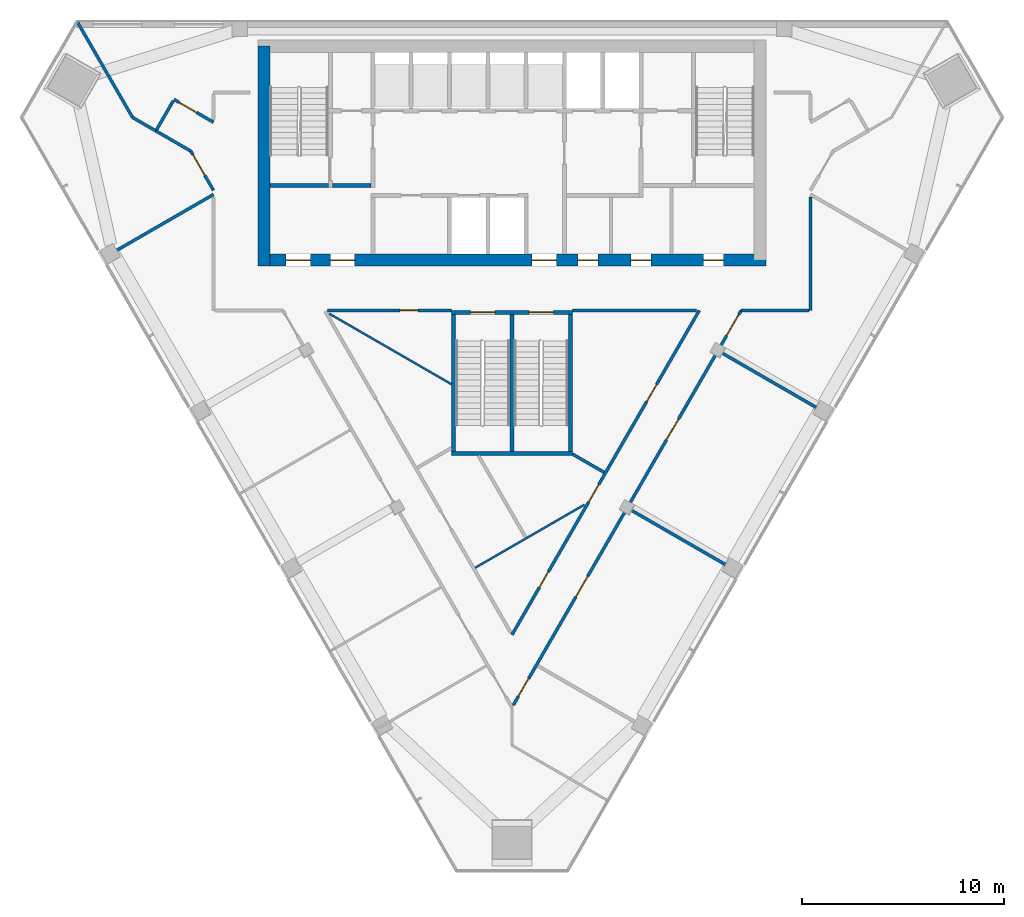
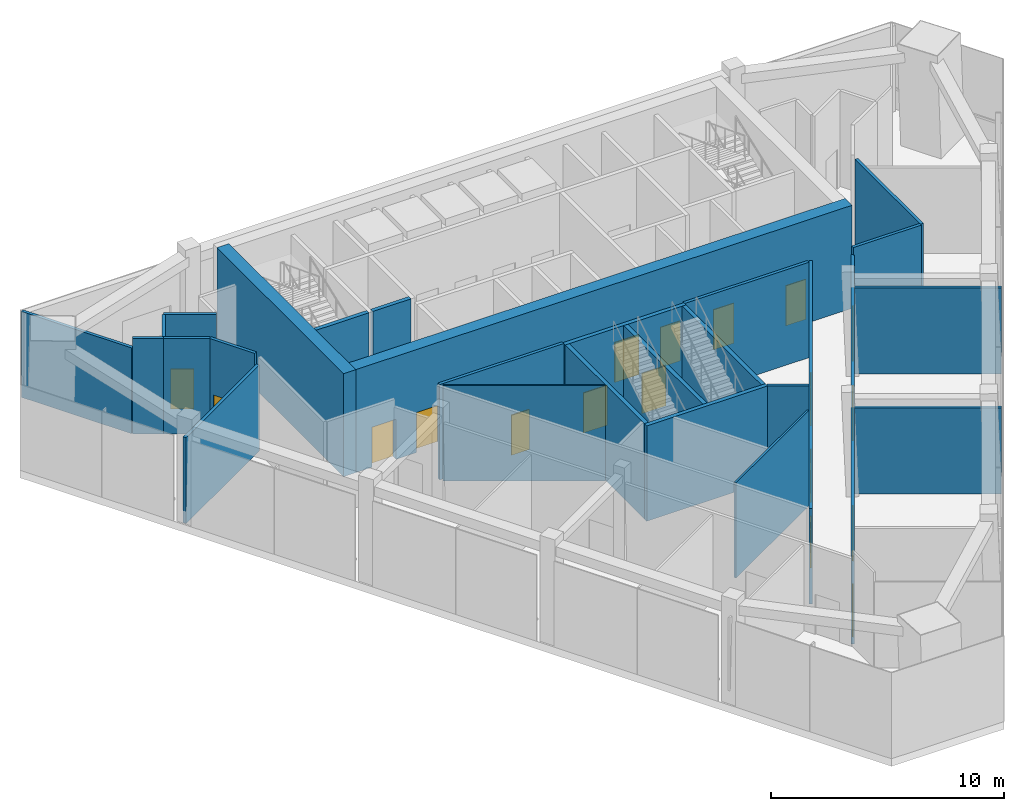
# One storey, part 6 of 10: 27 walls, 18 doors, 18 openings.
"""IFC4 building model written with IfcOpenShell, lengths in metres."""

from ifc_helpers import new_model, si_unit, direction, frame, frame_2d, origin, place, context, subcontext, project, spatial, rectangle, extrude, material, layer, layer_set, type_object, element, fill, save


model = new_model("IFC4")

# Units and contexts
model_context = context("Model", 3, precision=1e-05, world=origin(), true_north=direction((0.0, 1.0)))
body_context = subcontext(model_context, "Body", "Model", "MODEL_VIEW")
ifc_project = project(units=[si_unit("LENGTHUNIT", "METRE"), si_unit("AREAUNIT", "SQUARE_METRE"), si_unit("VOLUMEUNIT", "CUBIC_METRE"), si_unit("PLANEANGLEUNIT", "RADIAN"), si_unit("MASSUNIT", "GRAM", prefix="KILO")], contexts=[model_context])

# Site, building, storey
site_placement = place(None, origin())
site = spatial("IfcSite", under=ifc_project, at=site_placement, CompositionType="ELEMENT")
building_placement = place(site_placement, origin())
building = spatial("IfcBuilding", under=site, at=building_placement, Name="Altiplano Prism Tower", CompositionType="ELEMENT")
storey_placement = place(building_placement, frame((0.0, 0.0, 233.800048828125)))
storey = spatial("IfcBuildingStorey", under=building, at=storey_placement, Name="L60", CompositionType="ELEMENT", Elevation=233.800048828125)

# Wall, openings, doors
ifc_material_1 = material(Name="Concrete C60/75", Category="concrete")
ifc_layer_1 = layer(ifc_material_1, 0.60009765625)
ifc_layer_set_1 = layer_set([ifc_layer_1], Name="Concrete C60/75")
wall_type_1 = type_object("IfcWallType", Name="Core wall 600", PredefinedType="SHEAR", material=ifc_layer_set_1)
wall_1_placement = place(storey_placement, frame((72.699951171875, 93.10009765625, 0.0), z_axis=(0.0, 0.0, 1.0), x_axis=(1.0, 0.0, 0.0)))
wall_1 = element("IfcWall", 1, at=wall_1_placement, inside=storey, type_object=wall_type_1, Name="Core wall S L60", PredefinedType="SHEAR", context=body_context, shape_type="SweptSolid", body=[
    extrude(rectangle(XDim=24.900146484375, YDim=0.60009765625, at=frame_2d((12.4501953125, 0.0))), origin(), (0.0, 0.0, 1.0), 5.39990234375),
])
opening_1_placement = place(wall_1_placement, frame((1.10009765625, 0.0, 0.0)))
opening_1 = element("IfcOpeningElement", 2, at=opening_1_placement, cuts=wall_1, Name="Opening D3419", PredefinedType="OPENING", context=body_context, shape_type="SweptSolid", body=[
    extrude(rectangle(XDim=1.199951171875, YDim=2.10009765625, at=frame_2d((0.60009765625, 1.050048828125))), frame((0.0, 0.310546875, 0.0), z_axis=(0.0, -1.0, 0.0), x_axis=(1.0, 0.0, 0.0)), (0.0, 0.0, 1.0), 0.62109375),
])
opening_2_placement = place(wall_1_placement, frame((3.300048828125, 0.0, 0.0)))
opening_2 = element("IfcOpeningElement", 3, at=opening_2_placement, cuts=wall_1, Name="Opening D3420", PredefinedType="OPENING", context=body_context, shape_type="SweptSolid", body=[
    extrude(rectangle(XDim=1.199951171875, YDim=2.10009765625, at=frame_2d((0.60009765625, 1.050048828125))), frame((0.0, 0.310546875, 0.0), z_axis=(0.0, -1.0, 0.0), x_axis=(1.0, 0.0, 0.0)), (0.0, 0.0, 1.0), 0.62109375),
])
opening_3_placement = place(wall_1_placement, frame((13.300048828125, 0.0, 0.0)))
opening_3 = element("IfcOpeningElement", 4, at=opening_3_placement, cuts=wall_1, Name="Opening D3421", PredefinedType="OPENING", context=body_context, shape_type="SweptSolid", body=[
    extrude(rectangle(XDim=1.199951171875, YDim=2.10009765625, at=frame_2d((0.60009765625, 1.050048828125))), frame((0.0, 0.310546875, 0.0), z_axis=(0.0, -1.0, 0.0), x_axis=(1.0, 0.0, 0.0)), (0.0, 0.0, 1.0), 0.62109375),
])
opening_4_placement = place(wall_1_placement, frame((15.5625, 0.0, 0.0)))
opening_4 = element("IfcOpeningElement", 5, at=opening_4_placement, cuts=wall_1, Name="Opening D3424", PredefinedType="OPENING", context=body_context, shape_type="SweptSolid", body=[
    extrude(rectangle(XDim=1.0, YDim=2.10009765625, at=frame_2d((0.5, 1.050048828125))), frame((0.0, 0.310546875, 0.0), z_axis=(0.0, -1.0, 0.0), x_axis=(1.0, 0.0, 0.0)), (0.0, 0.0, 1.0), 0.62109375),
])
opening_5_placement = place(wall_1_placement, frame((18.199951171875, 0.0, 0.0)))
opening_5 = element("IfcOpeningElement", 6, at=opening_5_placement, cuts=wall_1, Name="Opening D3425", PredefinedType="OPENING", context=body_context, shape_type="SweptSolid", body=[
    extrude(rectangle(XDim=1.0, YDim=2.10009765625, at=frame_2d((0.5, 1.050048828125))), frame((0.0, 0.310546875, 0.0), z_axis=(0.0, -1.0, 0.0), x_axis=(1.0, 0.0, 0.0)), (0.0, 0.0, 1.0), 0.62109375),
])
opening_6_placement = place(wall_1_placement, frame((21.78759765625, 0.0, 0.0)))
opening_6 = element("IfcOpeningElement", 7, at=opening_6_placement, cuts=wall_1, Name="Opening D3426", PredefinedType="OPENING", context=body_context, shape_type="SweptSolid", body=[
    extrude(rectangle(XDim=1.0, YDim=2.10009765625, at=frame_2d((0.5, 1.050048828125))), frame((0.0, 0.310546875, 0.0), z_axis=(0.0, -1.0, 0.0), x_axis=(1.0, 0.0, 0.0)), (0.0, 0.0, 1.0), 0.62109375),
])
ifc_material_2 = material(Name="Fire-rated steel door", Category="steel")
door_type_1 = type_object("IfcDoorType", Name="Core room door 1000 x 2100", OperationType="NOTDEFINED", PredefinedType="NOTDEFINED", material=ifc_material_2)
door_1_placement = place(opening_4_placement, origin())
door_1 = element("IfcDoor", 8, at=door_1_placement, inside=storey, type_object=door_type_1, Name="Core room door D3424", OperationType="SINGLE_SWING_RIGHT", OverallHeight=2.10009765625, OverallWidth=1.0, PredefinedType="NOTDEFINED", context=body_context, shape_type="SweptSolid", body=[
    extrude(rectangle(XDim=1.0, YDim=2.10009765625, at=frame_2d((0.5, 1.050048828125))), frame((0.0, 0.02490234375, 0.0), z_axis=(0.0, -1.0, 0.0), x_axis=(1.0, 0.0, 0.0)), (0.0, 0.0, 1.0), 0.050048828125),
])
fill(opening_4, door_1)
door_2_placement = place(opening_5_placement, origin())
door_2 = element("IfcDoor", 9, at=door_2_placement, inside=storey, type_object=door_type_1, Name="Core room door D3425", OperationType="SINGLE_SWING_LEFT", OverallHeight=2.10009765625, OverallWidth=1.0, PredefinedType="NOTDEFINED", context=body_context, shape_type="SweptSolid", body=[
    extrude(rectangle(XDim=1.0, YDim=2.10009765625, at=frame_2d((0.5, 1.050048828125))), frame((0.0, 0.02490234375, 0.0), z_axis=(0.0, -1.0, 0.0), x_axis=(1.0, 0.0, 0.0)), (0.0, 0.0, 1.0), 0.050048828125),
])
fill(opening_5, door_2)
door_3_placement = place(opening_6_placement, origin())
door_3 = element("IfcDoor", 10, at=door_3_placement, inside=storey, type_object=door_type_1, Name="Core room door D3426", OperationType="SINGLE_SWING_RIGHT", OverallHeight=2.10009765625, OverallWidth=1.0, PredefinedType="NOTDEFINED", context=body_context, shape_type="SweptSolid", body=[
    extrude(rectangle(XDim=1.0, YDim=2.10009765625, at=frame_2d((0.5, 1.050048828125))), frame((0.0, 0.02490234375, 0.0), z_axis=(0.0, -1.0, 0.0), x_axis=(1.0, 0.0, 0.0)), (0.0, 0.0, 1.0), 0.050048828125),
])
fill(opening_6, door_3)
door_type_2 = type_object("IfcDoorType", Name="Lobby fire door 1200 x 2100", OperationType="NOTDEFINED", PredefinedType="NOTDEFINED", material=ifc_material_2)
door_4_placement = place(opening_1_placement, origin())
door_4 = element("IfcDoor", 11, at=door_4_placement, inside=storey, type_object=door_type_2, Name="Lobby fire door D3419", OperationType="SINGLE_SWING_RIGHT", OverallHeight=2.10009765625, OverallWidth=1.199951171875, PredefinedType="NOTDEFINED", context=body_context, shape_type="SweptSolid", body=[
    extrude(rectangle(XDim=1.199951171875, YDim=2.10009765625, at=frame_2d((0.60009765625, 1.050048828125))), frame((0.0, 0.02490234375, 0.0), z_axis=(0.0, -1.0, 0.0), x_axis=(1.0, 0.0, 0.0)), (0.0, 0.0, 1.0), 0.050048828125),
])
fill(opening_1, door_4)
door_5_placement = place(opening_2_placement, origin())
door_5 = element("IfcDoor", 12, at=door_5_placement, inside=storey, type_object=door_type_2, Name="Lobby fire door D3420", OperationType="SINGLE_SWING_LEFT", OverallHeight=2.10009765625, OverallWidth=1.199951171875, PredefinedType="NOTDEFINED", context=body_context, shape_type="SweptSolid", body=[
    extrude(rectangle(XDim=1.199951171875, YDim=2.10009765625, at=frame_2d((0.60009765625, 1.050048828125))), frame((0.0, 0.02490234375, 0.0), z_axis=(0.0, -1.0, 0.0), x_axis=(1.0, 0.0, 0.0)), (0.0, 0.0, 1.0), 0.050048828125),
])
fill(opening_2, door_5)
door_6_placement = place(opening_3_placement, origin())
door_6 = element("IfcDoor", 13, at=door_6_placement, inside=storey, type_object=door_type_2, Name="Lobby fire door D3421", OperationType="SINGLE_SWING_RIGHT", OverallHeight=2.10009765625, OverallWidth=1.199951171875, PredefinedType="NOTDEFINED", context=body_context, shape_type="SweptSolid", body=[
    extrude(rectangle(XDim=1.199951171875, YDim=2.10009765625, at=frame_2d((0.60009765625, 1.050048828125))), frame((0.0, 0.02490234375, 0.0), z_axis=(0.0, -1.0, 0.0), x_axis=(1.0, 0.0, 0.0)), (0.0, 0.0, 1.0), 0.050048828125),
])
fill(opening_3, door_6)

# Walls
wall_2_placement = place(storey_placement, frame((72.699951171875, 103.699951171875, 0.0), z_axis=(0.0, 0.0, 1.0), x_axis=(0.0, -1.0, 0.0)))
element("IfcWall", 14, at=wall_2_placement, inside=storey, type_object=wall_type_1, Name="Core wall W L60", PredefinedType="SHEAR", context=body_context, shape_type="SweptSolid", body=[
    extrude(rectangle(XDim=10.89990234375, YDim=0.60009765625, at=frame_2d((5.449951171875, 0.0))), origin(), (0.0, 0.0, 1.0), 5.39990234375),
])
ifc_material_3 = material(Name="Plasterboard on steel stud", Category="steel")
ifc_layer_2 = layer(ifc_material_3, 0.10009765625)
ifc_layer_set_2 = layer_set([ifc_layer_2], Name="Plasterboard on steel stud")
wall_type_2 = type_object("IfcWallType", Name="Partition 100 wet", PredefinedType="PARTITIONING", material=ifc_layer_set_2)
wall_3_placement = place(storey_placement, frame((75.94775390625, 90.434814453125, 0.0), z_axis=(0.0, 0.0, 1.0), x_axis=(0.866033166555, -0.499986554245, 0.0)))
element("IfcWall", 15, at=wall_3_placement, inside=storey, type_object=wall_type_2, Name="Partition P03 L60 023", PredefinedType="PARTITIONING", context=body_context, shape_type="SweptSolid", body=[
    extrude(rectangle(XDim=6.988525390625, YDim=0.10009765625, at=frame_2d((3.494140625, 0.0))), origin(), (0.0, 0.0, 1.0), 5.0),
])
wall_4_placement = place(storey_placement, frame((88.587158203125, 80.967041015625, 0.0), z_axis=(0.0, 0.0, 1.0), x_axis=(-0.866017920884, -0.500012960539, 0.0)))
element("IfcWall", 16, at=wall_4_placement, inside=storey, type_object=wall_type_2, Name="Partition P03 L60 024", PredefinedType="PARTITIONING", context=body_context, shape_type="SweptSolid", body=[
    extrude(rectangle(XDim=6.256103515625, YDim=0.10009765625, at=frame_2d((3.1279296875, 0.0))), origin(), (0.0, 0.0, 1.0), 5.0),
])

# Wall, opening, door
ifc_layer_3 = layer(ifc_material_3, 0.14990234375)
ifc_layer_set_3 = layer_set([ifc_layer_3], Name="Plasterboard on steel stud")
wall_type_3 = type_object("IfcWallType", Name="Partition 150 corridor", PredefinedType="PARTITIONING", material=ifc_layer_set_3)
wall_5_placement = place(storey_placement, frame((75.846435546875, 90.59912109375, 0.0), z_axis=(0.0, 0.0, 1.0), x_axis=(1.0, 0.0, 0.0)))
wall_5 = element("IfcWall", 17, at=wall_5_placement, inside=storey, type_object=wall_type_3, Name="Partition P06 L60 001", PredefinedType="PARTITIONING", context=body_context, shape_type="SweptSolid", body=[
    extrude(rectangle(XDim=6.153564453125, YDim=0.14990234375, at=frame_2d((3.07666015625, 0.0))), origin(), (0.0, 0.0, 1.0), 5.0),
])
opening_7_placement = place(wall_5_placement, frame((3.591064453125, 0.0, 0.0)))
opening_7 = element("IfcOpeningElement", 18, at=opening_7_placement, cuts=wall_5, Name="Opening D1973", PredefinedType="OPENING", context=body_context, shape_type="SweptSolid", body=[
    extrude(rectangle(XDim=0.89990234375, YDim=2.10009765625, at=frame_2d((0.449951171875, 1.050048828125))), frame((0.0, 0.08544921875, 0.0), z_axis=(0.0, -1.0, 0.0), x_axis=(1.0, 0.0, 0.0)), (0.0, 0.0, 1.0), 0.1708984375),
])
ifc_material_4 = material(Name="Timber", Category="wood")
door_type_3 = type_object("IfcDoorType", Name="Toilet door 900 x 2100", OperationType="NOTDEFINED", PredefinedType="NOTDEFINED", material=ifc_material_4)
door_7_placement = place(opening_7_placement, origin())
door_7 = element("IfcDoor", 19, at=door_7_placement, inside=storey, type_object=door_type_3, Name="Door D1973", OperationType="SINGLE_SWING_RIGHT", OverallHeight=2.10009765625, OverallWidth=0.89990234375, PredefinedType="NOTDEFINED", context=body_context, shape_type="SweptSolid", body=[
    extrude(rectangle(XDim=0.89990234375, YDim=2.10009765625, at=frame_2d((0.449951171875, 1.050048828125))), frame((0.0, 0.02490234375, 0.0), z_axis=(0.0, -1.0, 0.0), x_axis=(1.0, 0.0, 0.0)), (0.0, 0.0, 1.0), 0.050048828125),
])
fill(opening_7, door_7)

# Wall
wall_6_placement = place(storey_placement, frame((67.325927734375, 99.510009765625, 0.0), z_axis=(0.0, 0.0, 1.0), x_axis=(0.866010470582, -0.500025864173, 0.0)))
element("IfcWall", 20, at=wall_6_placement, inside=storey, type_object=wall_type_3, Name="Partition P06 L60 002", PredefinedType="PARTITIONING", context=body_context, shape_type="SweptSolid", body=[
    extrude(rectangle(XDim=2.02001953125, YDim=0.14990234375, at=frame_2d((1.010009765625, 0.0))), origin(), (0.0, 0.0, 1.0), 5.0),
])

# Wall, opening, door
wall_7_placement = place(storey_placement, frame((69.0751953125, 98.5, 0.0), z_axis=(0.0, 0.0, 1.0), x_axis=(0.499979232204, -0.866037393745, 0.0)))
wall_7 = element("IfcWall", 21, at=wall_7_placement, inside=storey, type_object=wall_type_3, Name="Partition P06 L60 003", PredefinedType="PARTITIONING", context=body_context, shape_type="SweptSolid", body=[
    extrude(rectangle(XDim=2.24951171875, YDim=0.14990234375, at=frame_2d((1.124755859375, 0.0))), origin(), (0.0, 0.0, 1.0), 5.0),
])
opening_8_placement = place(wall_7_placement, frame((0.199951171875, 0.0, 0.0)))
opening_8 = element("IfcOpeningElement", 22, at=opening_8_placement, cuts=wall_7, Name="Opening D1975", PredefinedType="OPENING", context=body_context, shape_type="SweptSolid", body=[
    extrude(rectangle(XDim=1.199951171875, YDim=2.10009765625, at=frame_2d((0.60009765625, 1.050048828125))), frame((0.0, 0.08544921875, 0.0), z_axis=(0.0, -1.0, 0.0), x_axis=(1.0, 0.0, 0.0)), (0.0, 0.0, 1.0), 0.1708984375),
])
door_type_4 = type_object("IfcDoorType", Name="Shared room door 1200 x 2100", OperationType="NOTDEFINED", PredefinedType="NOTDEFINED", material=ifc_material_4)
door_8_placement = place(opening_8_placement, origin())
door_8 = element("IfcDoor", 23, at=door_8_placement, inside=storey, type_object=door_type_4, Name="Door D1975", OperationType="SINGLE_SWING_LEFT", OverallHeight=2.10009765625, OverallWidth=1.199951171875, PredefinedType="NOTDEFINED", context=body_context, shape_type="SweptSolid", body=[
    extrude(rectangle(XDim=1.199951171875, YDim=2.10009765625, at=frame_2d((0.60009765625, 1.050048828125))), frame((0.0, 0.02490234375, 0.0), z_axis=(0.0, -1.0, 0.0), x_axis=(1.0, 0.0, 0.0)), (0.0, 0.0, 1.0), 0.050048828125),
])
fill(opening_8, door_8)

# Wall, openings, doors
wall_8_placement = place(storey_placement, frame((85.06494140625, 71.030029296875, 0.0), z_axis=(0.0, 0.0, 1.0), x_axis=(0.50000145667, 0.866024562774, 0.0)))
wall_8 = element("IfcWall", 24, at=wall_8_placement, inside=storey, type_object=wall_type_3, Name="Partition P06 L60 007", PredefinedType="PARTITIONING", context=body_context, shape_type="SweptSolid", body=[
    extrude(rectangle(XDim=22.59765625, YDim=0.14990234375, at=frame_2d((11.298828125, 0.0))), origin(), (0.0, 0.0, 1.0), 4.599853515625),
])
opening_9_placement = place(wall_8_placement, frame((0.512939453125, 0.0, 0.0)))
opening_9 = element("IfcOpeningElement", 25, at=opening_9_placement, cuts=wall_8, Name="Opening D1980", PredefinedType="OPENING", context=body_context, shape_type="SweptSolid", body=[
    extrude(rectangle(XDim=1.0, YDim=2.10009765625, at=frame_2d((0.5, 1.050048828125))), frame((0.0, 0.08544921875, 0.0), z_axis=(0.0, -1.0, 0.0), x_axis=(1.0, 0.0, 0.0)), (0.0, 0.0, 1.0), 0.1708984375),
])
opening_10_placement = place(wall_8_placement, frame((6.195068359375, 0.0, 0.0)))
opening_10 = element("IfcOpeningElement", 26, at=opening_10_placement, cuts=wall_8, Name="Opening D1981", PredefinedType="OPENING", context=body_context, shape_type="SweptSolid", body=[
    extrude(rectangle(XDim=1.199951171875, YDim=2.10009765625, at=frame_2d((0.60009765625, 1.050048828125))), frame((0.0, 0.08544921875, 0.0), z_axis=(0.0, -1.0, 0.0), x_axis=(1.0, 0.0, 0.0)), (0.0, 0.0, 1.0), 0.1708984375),
])
opening_11_placement = place(wall_8_placement, frame((15.195068359375, 0.0, 0.0)))
opening_11 = element("IfcOpeningElement", 27, at=opening_11_placement, cuts=wall_8, Name="Opening D1982", PredefinedType="OPENING", context=body_context, shape_type="SweptSolid", body=[
    extrude(rectangle(XDim=1.199951171875, YDim=2.10009765625, at=frame_2d((0.60009765625, 1.050048828125))), frame((0.0, 0.08544921875, 0.0), z_axis=(0.0, -1.0, 0.0), x_axis=(1.0, 0.0, 0.0)), (0.0, 0.0, 1.0), 0.1708984375),
])
opening_12_placement = place(wall_8_placement, frame((21.155029296875, 0.0, 0.0)))
opening_12 = element("IfcOpeningElement", 28, at=opening_12_placement, cuts=wall_8, Name="Opening D1983", PredefinedType="OPENING", context=body_context, shape_type="SweptSolid", body=[
    extrude(rectangle(XDim=1.199951171875, YDim=2.10009765625, at=frame_2d((0.60009765625, 1.050048828125))), frame((0.0, 0.08544921875, 0.0), z_axis=(0.0, -1.0, 0.0), x_axis=(1.0, 0.0, 0.0)), (0.0, 0.0, 1.0), 0.1708984375),
])
door_type_5 = type_object("IfcDoorType", Name="Room door 1000 x 2100", OperationType="NOTDEFINED", PredefinedType="NOTDEFINED", material=ifc_material_4)
door_9_placement = place(opening_9_placement, origin())
door_9 = element("IfcDoor", 29, at=door_9_placement, inside=storey, type_object=door_type_5, Name="Door D1980", OperationType="SINGLE_SWING_LEFT", OverallHeight=2.10009765625, OverallWidth=1.0, PredefinedType="NOTDEFINED", context=body_context, shape_type="SweptSolid", body=[
    extrude(rectangle(XDim=1.0, YDim=2.10009765625, at=frame_2d((0.5, 1.050048828125))), frame((0.0, 0.02490234375, 0.0), z_axis=(0.0, -1.0, 0.0), x_axis=(1.0, 0.0, 0.0)), (0.0, 0.0, 1.0), 0.050048828125),
])
fill(opening_9, door_9)
door_10_placement = place(opening_10_placement, origin())
door_10 = element("IfcDoor", 30, at=door_10_placement, inside=storey, type_object=door_type_4, Name="Door D1981", OperationType="SINGLE_SWING_LEFT", OverallHeight=2.10009765625, OverallWidth=1.199951171875, PredefinedType="NOTDEFINED", context=body_context, shape_type="SweptSolid", body=[
    extrude(rectangle(XDim=1.199951171875, YDim=2.10009765625, at=frame_2d((0.60009765625, 1.050048828125))), frame((0.0, 0.02490234375, 0.0), z_axis=(0.0, -1.0, 0.0), x_axis=(1.0, 0.0, 0.0)), (0.0, 0.0, 1.0), 0.050048828125),
])
fill(opening_10, door_10)
door_11_placement = place(opening_11_placement, origin())
door_11 = element("IfcDoor", 31, at=door_11_placement, inside=storey, type_object=door_type_4, Name="Door D1982", OperationType="SINGLE_SWING_RIGHT", OverallHeight=2.10009765625, OverallWidth=1.199951171875, PredefinedType="NOTDEFINED", context=body_context, shape_type="SweptSolid", body=[
    extrude(rectangle(XDim=1.199951171875, YDim=2.10009765625, at=frame_2d((0.60009765625, 1.050048828125))), frame((0.0, 0.02490234375, 0.0), z_axis=(0.0, -1.0, 0.0), x_axis=(1.0, 0.0, 0.0)), (0.0, 0.0, 1.0), 0.050048828125),
])
fill(opening_11, door_11)
door_12_placement = place(opening_12_placement, origin())
door_12 = element("IfcDoor", 32, at=door_12_placement, inside=storey, type_object=door_type_4, Name="Door D1983", OperationType="SINGLE_SWING_RIGHT", OverallHeight=2.10009765625, OverallWidth=1.199951171875, PredefinedType="NOTDEFINED", context=body_context, shape_type="SweptSolid", body=[
    extrude(rectangle(XDim=1.199951171875, YDim=2.10009765625, at=frame_2d((0.60009765625, 1.050048828125))), frame((0.0, 0.02490234375, 0.0), z_axis=(0.0, -1.0, 0.0), x_axis=(1.0, 0.0, 0.0)), (0.0, 0.0, 1.0), 0.050048828125),
])
fill(opening_12, door_12)

# Walls
wall_9_placement = place(storey_placement, frame((96.36376953125, 90.60009765625, 0.0), z_axis=(0.0, 0.0, 1.0), x_axis=(1.0, 0.0, 0.0)))
element("IfcWall", 33, at=wall_9_placement, inside=storey, type_object=wall_type_3, Name="Partition P06 L60 008", PredefinedType="PARTITIONING", context=body_context, shape_type="SweptSolid", body=[
    extrude(rectangle(XDim=3.361328125, YDim=0.14990234375, at=frame_2d((1.6806640625, 0.0))), origin(), (0.0, 0.0, 1.0), 5.0),
])
wall_10_placement = place(storey_placement, frame((99.800048828125, 90.60009765625, 0.0), z_axis=(0.0, 0.0, 1.0), x_axis=(0.0, 1.0, 0.0)))
element("IfcWall", 34, at=wall_10_placement, inside=storey, type_object=wall_type_3, Name="Partition P06 L60 009", PredefinedType="PARTITIONING", context=body_context, shape_type="SweptSolid", body=[
    extrude(rectangle(XDim=5.619384765625, YDim=0.14990234375, at=frame_2d((2.8095703125, 0.0))), origin(), (0.0, 0.0, 1.0), 5.0),
])

# Wall, opening, door
wall_11_placement = place(storey_placement, frame((70.199951171875, 99.928955078125, 0.0), z_axis=(0.0, 0.0, 1.0), x_axis=(-0.866000250934, 0.500043563484, 0.0)))
wall_11 = element("IfcWall", 35, at=wall_11_placement, inside=storey, type_object=wall_type_3, Name="Partition P06 L60 014", PredefinedType="PARTITIONING", context=body_context, shape_type="SweptSolid", body=[
    extrude(rectangle(XDim=2.259521484375, YDim=0.14990234375, at=frame_2d((1.1298828125, 0.0))), origin(), (0.0, 0.0, 1.0), 5.0),
])
opening_13_placement = place(wall_11_placement, frame((0.967041015625, 0.0, 0.0)))
opening_13 = element("IfcOpeningElement", 36, at=opening_13_placement, cuts=wall_11, Name="Opening D1985", PredefinedType="OPENING", context=body_context, shape_type="SweptSolid", body=[
    extrude(rectangle(XDim=1.0, YDim=2.10009765625, at=frame_2d((0.5, 1.050048828125))), frame((0.0, 0.08544921875, 0.0), z_axis=(0.0, -1.0, 0.0), x_axis=(1.0, 0.0, 0.0)), (0.0, 0.0, 1.0), 0.1708984375),
])
door_13_placement = place(opening_13_placement, origin())
door_13 = element("IfcDoor", 37, at=door_13_placement, inside=storey, type_object=door_type_5, Name="Door D1985", OperationType="SINGLE_SWING_RIGHT", OverallHeight=2.10009765625, OverallWidth=1.0, PredefinedType="NOTDEFINED", context=body_context, shape_type="SweptSolid", body=[
    extrude(rectangle(XDim=1.0, YDim=2.10009765625, at=frame_2d((0.5, 1.050048828125))), frame((0.0, 0.02490234375, 0.0), z_axis=(0.0, -1.0, 0.0), x_axis=(1.0, 0.0, 0.0)), (0.0, 0.0, 1.0), 0.050048828125),
])
fill(opening_13, door_13)

# Walls
wall_12_placement = place(storey_placement, frame((68.20556640625, 100.993896484375, 0.0), z_axis=(0.0, 0.0, 1.0), x_axis=(-0.499974350878, -0.866040211805, 0.0)))
element("IfcWall", 38, at=wall_12_placement, inside=storey, type_object=wall_type_3, Name="Partition P06 L60 015", PredefinedType="PARTITIONING", context=body_context, shape_type="SweptSolid", body=[
    extrude(rectangle(XDim=1.64990234375, YDim=0.14990234375, at=frame_2d((0.824951171875, 0.0))), origin(), (0.0, 0.0, 1.0), 5.0),
])
wall_13_placement = place(storey_placement, frame((88.0, 90.59912109375, 0.0), z_axis=(0.0, 0.0, 1.0), x_axis=(0.999999987414, 0.000158654607, 0.0)))
element("IfcWall", 39, at=wall_13_placement, inside=storey, type_object=wall_type_3, Name="Partition P06 L60 020", PredefinedType="PARTITIONING", context=body_context, shape_type="SweptSolid", body=[
    extrude(rectangle(XDim=6.1552734375, YDim=0.14990234375, at=frame_2d((3.07763671875, 0.0))), origin(), (0.0, 0.0, 1.0), 5.0),
])

# Wall, openings, doors
wall_14_placement = place(storey_placement, frame((94.285400390625, 90.60009765625, 0.0), z_axis=(0.0, 0.0, 1.0), x_axis=(-0.500000503022, -0.866025113364, 0.0)))
wall_14 = element("IfcWall", 40, at=wall_14_placement, inside=storey, type_object=wall_type_3, Name="Partition P06 L60 021", PredefinedType="PARTITIONING", context=body_context, shape_type="SweptSolid", body=[
    extrude(rectangle(XDim=18.57080078125, YDim=0.14990234375, at=frame_2d((9.285400390625, 0.0))), origin(), (0.0, 0.0, 1.0), 5.0),
])
opening_14_placement = place(wall_14_placement, frame((14.9609375, 0.0, 0.0)))
opening_14 = element("IfcOpeningElement", 41, at=opening_14_placement, cuts=wall_14, Name="Opening D1974", PredefinedType="OPENING", context=body_context, shape_type="SweptSolid", body=[
    extrude(rectangle(XDim=0.89990234375, YDim=2.10009765625, at=frame_2d((0.449951171875, 1.050048828125))), frame((0.0, 0.08544921875, 0.0), z_axis=(0.0, -1.0, 0.0), x_axis=(1.0, 0.0, 0.0)), (0.0, 0.0, 1.0), 0.1708984375),
])
opening_15_placement = place(wall_14_placement, frame((4.22998046875, 0.0, 0.0)))
opening_15 = element("IfcOpeningElement", 42, at=opening_15_placement, cuts=wall_14, Name="Opening D1987", PredefinedType="OPENING", context=body_context, shape_type="SweptSolid", body=[
    extrude(rectangle(XDim=1.0, YDim=2.10009765625, at=frame_2d((0.5, 1.050048828125))), frame((0.0, 0.08544921875, 0.0), z_axis=(0.0, -1.0, 0.0), x_axis=(1.0, 0.0, 0.0)), (0.0, 0.0, 1.0), 0.1708984375),
])
opening_16_placement = place(wall_14_placement, frame((9.9619140625, 0.0, 0.0)))
opening_16 = element("IfcOpeningElement", 43, at=opening_16_placement, cuts=wall_14, Name="Opening D1990", PredefinedType="OPENING", context=body_context, shape_type="SweptSolid", body=[
    extrude(rectangle(XDim=1.0, YDim=2.10009765625, at=frame_2d((0.5, 1.050048828125))), frame((0.0, 0.08544921875, 0.0), z_axis=(0.0, -1.0, 0.0), x_axis=(1.0, 0.0, 0.0)), (0.0, 0.0, 1.0), 0.1708984375),
])
door_14_placement = place(opening_16_placement, origin())
door_14 = element("IfcDoor", 44, at=door_14_placement, inside=storey, type_object=door_type_5, Name="Door D1990", OperationType="SINGLE_SWING_RIGHT", OverallHeight=2.10009765625, OverallWidth=1.0, PredefinedType="NOTDEFINED", context=body_context, shape_type="SweptSolid", body=[
    extrude(rectangle(XDim=1.0, YDim=2.10009765625, at=frame_2d((0.5, 1.050048828125))), frame((0.0, 0.02490234375, 0.0), z_axis=(0.0, -1.0, 0.0), x_axis=(1.0, 0.0, 0.0)), (0.0, 0.0, 1.0), 0.050048828125),
])
fill(opening_16, door_14)
door_type_6 = type_object("IfcDoorType", Name="Store door 1000 x 2100", OperationType="NOTDEFINED", PredefinedType="NOTDEFINED", material=ifc_material_4)
door_15_placement = place(opening_15_placement, origin())
door_15 = element("IfcDoor", 45, at=door_15_placement, inside=storey, type_object=door_type_6, Name="Door D1987", OperationType="SINGLE_SWING_RIGHT", OverallHeight=2.10009765625, OverallWidth=1.0, PredefinedType="NOTDEFINED", context=body_context, shape_type="SweptSolid", body=[
    extrude(rectangle(XDim=1.0, YDim=2.10009765625, at=frame_2d((0.5, 1.050048828125))), frame((0.0, 0.02490234375, 0.0), z_axis=(0.0, -1.0, 0.0), x_axis=(1.0, 0.0, 0.0)), (0.0, 0.0, 1.0), 0.050048828125),
])
fill(opening_15, door_15)
door_16_placement = place(opening_14_placement, origin())
door_16 = element("IfcDoor", 46, at=door_16_placement, inside=storey, type_object=door_type_3, Name="Door D1974", OperationType="SINGLE_SWING_LEFT", OverallHeight=2.10009765625, OverallWidth=0.89990234375, PredefinedType="NOTDEFINED", context=body_context, shape_type="SweptSolid", body=[
    extrude(rectangle(XDim=0.89990234375, YDim=2.10009765625, at=frame_2d((0.449951171875, 1.050048828125))), frame((0.0, 0.02490234375, 0.0), z_axis=(0.0, -1.0, 0.0), x_axis=(1.0, 0.0, 0.0)), (0.0, 0.0, 1.0), 0.050048828125),
])
fill(opening_14, door_16)

# Walls
ifc_layer_4 = layer(ifc_material_3, 0.14990234375)
ifc_layer_set_4 = layer_set([ifc_layer_4], Name="Plasterboard on steel stud")
wall_type_4 = type_object("IfcWallType", Name="Partition 150 party", PredefinedType="PARTITIONING", material=ifc_layer_set_4)
wall_15_placement = place(storey_placement, frame((64.7451171875, 93.199951171875, 0.0), z_axis=(0.0, 0.0, 1.0), x_axis=(0.866020990722, 0.500007643571, 0.0)))
element("IfcWall", 47, at=wall_15_placement, inside=storey, type_object=wall_type_4, Name="Partition P01 L60 025", PredefinedType="PARTITIONING", context=body_context, shape_type="SweptSolid", body=[
    extrude(rectangle(XDim=6.298828125, YDim=0.14990234375, at=frame_2d((3.1494140625, 0.0))), origin(), (0.0, 0.0, 1.0), 4.5),
])
wall_16_placement = place(storey_placement, frame((67.343017578125, 99.5, 0.0), z_axis=(0.0, 0.0, 1.0), x_axis=(-0.865988023682, 0.500064738649, 0.0)))
element("IfcWall", 48, at=wall_16_placement, inside=storey, type_object=wall_type_4, Name="Partition P01 L60 026", PredefinedType="PARTITIONING", context=body_context, shape_type="SweptSolid", body=[
    extrude(rectangle(XDim=1.337646484375, YDim=0.14990234375, at=frame_2d((0.6689453125, 0.0))), origin(), (0.0, 0.0, 1.0), 5.0),
])
wall_17_placement = place(storey_placement, frame((66.1845703125, 100.1689453125, 0.0), z_axis=(0.0, 0.0, 1.0), x_axis=(-0.500003569146, 0.866023343127, 0.0)))
element("IfcWall", 49, at=wall_17_placement, inside=storey, type_object=wall_type_4, Name="Partition P01 L60 027", PredefinedType="PARTITIONING", context=body_context, shape_type="SweptSolid", body=[
    extrude(rectangle(XDim=5.462890625, YDim=0.14990234375, at=frame_2d((2.7314453125, 0.0))), origin(), (0.0, 0.0, 1.0), 4.5),
])
for number, where, z_axis, x_axis, name in (
    (50, (96.2548828125, 77.611572265625, 0.0), (0.0, 0.0, 1.0), (-0.866015887322, 0.500016482634, 0.0), "Partition P01 L60 034"),
    (51, (100.7548828125, 85.40576171875, 0.0), (0.0, 0.0, 1.0), (-0.866015887322, 0.500016482634, 0.0), "Partition P01 L60 035"),
):
    element("IfcWall", number, at=place(storey_placement, frame(where, z_axis=z_axis, x_axis=x_axis)), inside=storey, type_object=wall_type_4, Name=name, PredefinedType="PARTITIONING", context=body_context, shape_type="SweptSolid", body=[
        extrude(rectangle(XDim=6.324951171875, YDim=0.14990234375, at=frame_2d((3.16259765625, 0.0))), origin(), (0.0, 0.0, 1.0), 4.5),
    ])
wall_18_placement = place(storey_placement, frame((88.0, 83.4765625, 0.0), z_axis=(0.0, 0.0, 1.0), x_axis=(0.866005537274, -0.500034408226, 0.0)))
element("IfcWall", 52, at=wall_18_placement, inside=storey, type_object=wall_type_4, Name="Partition P01 L60 039", PredefinedType="PARTITIONING", context=body_context, shape_type="SweptSolid", body=[
    extrude(rectangle(XDim=1.806396484375, YDim=0.14990234375, at=frame_2d((0.9033203125, 0.0))), origin(), (0.0, 0.0, 1.0), 5.0),
])
ifc_layer_5 = layer(ifc_material_1, 0.199951171875)
ifc_layer_set_5 = layer_set([ifc_layer_5], Name="Concrete C60/75")
wall_type_5 = type_object("IfcWallType", Name="Stair wall 200", PredefinedType="SOLIDWALL", material=ifc_layer_set_5)
wall_19_placement = place(storey_placement, frame((73.0, 96.800048828125, 0.0), z_axis=(0.0, 0.0, 1.0), x_axis=(1.0, 0.0, 0.0)))
element("IfcWall", 53, at=wall_19_placement, inside=storey, type_object=wall_type_5, Name="Stair wall L60", PredefinedType="SOLIDWALL", context=body_context, shape_type="SweptSolid", body=[
    extrude(rectangle(XDim=2.89990234375, YDim=0.199951171875, at=frame_2d((1.449951171875, 0.0))), origin(), (0.0, 0.0, 1.0), 5.0),
])

# Wall, openings, doors
wall_20_placement = place(storey_placement, frame((82.0, 90.5, 0.0), z_axis=(0.0, 0.0, 1.0), x_axis=(1.0, 0.0, 0.0)))
wall_20 = element("IfcWall", 54, at=wall_20_placement, inside=storey, type_object=wall_type_5, Name="Stair 3 wall north L60", PredefinedType="SOLIDWALL", context=body_context, shape_type="SweptSolid", body=[
    extrude(rectangle(XDim=6.0, YDim=0.199951171875, at=frame_2d((3.0, 0.0))), origin(), (0.0, 0.0, 1.0), 5.0),
])
opening_17_placement = place(wall_20_placement, frame((0.949951171875, 0.0, 0.0)))
opening_17 = element("IfcOpeningElement", 55, at=opening_17_placement, cuts=wall_20, Name="Opening D4042", PredefinedType="OPENING", context=body_context, shape_type="SweptSolid", body=[
    extrude(rectangle(XDim=1.199951171875, YDim=2.10009765625, at=frame_2d((0.60009765625, 1.050048828125))), frame((0.0, 0.1103515625, 0.0), z_axis=(0.0, -1.0, 0.0), x_axis=(1.0, 0.0, 0.0)), (0.0, 0.0, 1.0), 0.220947265625),
])
opening_18_placement = place(wall_20_placement, frame((3.85009765625, 0.0, 0.0)))
opening_18 = element("IfcOpeningElement", 56, at=opening_18_placement, cuts=wall_20, Name="Opening D4043", PredefinedType="OPENING", context=body_context, shape_type="SweptSolid", body=[
    extrude(rectangle(XDim=1.199951171875, YDim=2.10009765625, at=frame_2d((0.60009765625, 1.050048828125))), frame((0.0, 0.1103515625, 0.0), z_axis=(0.0, -1.0, 0.0), x_axis=(1.0, 0.0, 0.0)), (0.0, 0.0, 1.0), 0.220947265625),
])
door_type_7 = type_object("IfcDoorType", Name="Stair fire door 1200 x 2100", OperationType="NOTDEFINED", PredefinedType="NOTDEFINED", material=ifc_material_2)
door_17_placement = place(opening_17_placement, origin())
door_17 = element("IfcDoor", 57, at=door_17_placement, inside=storey, type_object=door_type_7, Name="Stair fire door D4042", OperationType="SINGLE_SWING_LEFT", OverallHeight=2.10009765625, OverallWidth=1.199951171875, PredefinedType="NOTDEFINED", context=body_context, shape_type="SweptSolid", body=[
    extrude(rectangle(XDim=1.199951171875, YDim=2.10009765625, at=frame_2d((0.60009765625, 1.050048828125))), frame((0.0, 0.02490234375, 0.0), z_axis=(0.0, -1.0, 0.0), x_axis=(1.0, 0.0, 0.0)), (0.0, 0.0, 1.0), 0.050048828125),
])
fill(opening_17, door_17)
door_18_placement = place(opening_18_placement, origin())
door_18 = element("IfcDoor", 58, at=door_18_placement, inside=storey, type_object=door_type_7, Name="Stair fire door D4043", OperationType="SINGLE_SWING_LEFT", OverallHeight=2.10009765625, OverallWidth=1.199951171875, PredefinedType="NOTDEFINED", context=body_context, shape_type="SweptSolid", body=[
    extrude(rectangle(XDim=1.199951171875, YDim=2.10009765625, at=frame_2d((0.60009765625, 1.050048828125))), frame((0.0, 0.02490234375, 0.0), z_axis=(0.0, -1.0, 0.0), x_axis=(1.0, 0.0, 0.0)), (0.0, 0.0, 1.0), 0.050048828125),
])
fill(opening_18, door_18)

# Walls
wall_21_placement = place(storey_placement, frame((82.0, 83.5, 0.0), z_axis=(0.0, 0.0, 1.0), x_axis=(1.0, 0.0, 0.0)))
element("IfcWall", 59, at=wall_21_placement, inside=storey, type_object=wall_type_5, Name="Stair 3 wall south L60", PredefinedType="SOLIDWALL", context=body_context, shape_type="SweptSolid", body=[
    extrude(rectangle(XDim=6.0, YDim=0.199951171875, at=frame_2d((3.0, 0.0))), origin(), (0.0, 0.0, 1.0), 5.0),
])
for number, where, z_axis, x_axis, name in (
    (60, (82.10009765625, 83.60009765625, 0.0), (0.0, 0.0, 1.0), (0.0, 1.0, 0.0), "Stair 3 wall west L60"),
    (61, (87.89990234375, 83.60009765625, 0.0), (0.0, 0.0, 1.0), (0.0, 1.0, 0.0), "Stair 3 wall east L60"),
    (62, (85.0, 83.60009765625, 0.0), (0.0, 0.0, 1.0), (0.0, 1.0, 0.0), "Stair 3 wall divider L60"),
):
    element("IfcWall", number, at=place(storey_placement, frame(where, z_axis=z_axis, x_axis=x_axis)), inside=storey, type_object=wall_type_5, Name=name, PredefinedType="SOLIDWALL", context=body_context, shape_type="SweptSolid", body=[
        extrude(rectangle(XDim=6.7998046875, YDim=0.199951171875, at=frame_2d((3.39990234375, 0.0))), origin(), (0.0, 0.0, 1.0), 5.0),
    ])
ifc_layer_6 = layer(ifc_material_1, 0.199951171875)
ifc_layer_set_6 = layer_set([ifc_layer_6], Name="Concrete C60/75")
wall_type_6 = type_object("IfcWallType", Name="Vestibule wall 200", PredefinedType="PARTITIONING", material=ifc_layer_set_6)
wall_22_placement = place(storey_placement, frame((76.10009765625, 96.800048828125, 0.0), z_axis=(0.0, 0.0, 1.0), x_axis=(1.0, 0.0, 0.0)))
element("IfcWall", 63, at=wall_22_placement, inside=storey, type_object=wall_type_6, Name="Vestibule wall L60", PredefinedType="PARTITIONING", context=body_context, shape_type="SweptSolid", body=[
    extrude(rectangle(XDim=1.89990234375, YDim=0.199951171875, at=frame_2d((0.949951171875, 0.0))), origin(), (0.0, 0.0, 1.0), 5.0),
])

save(model, "model.ifc")
